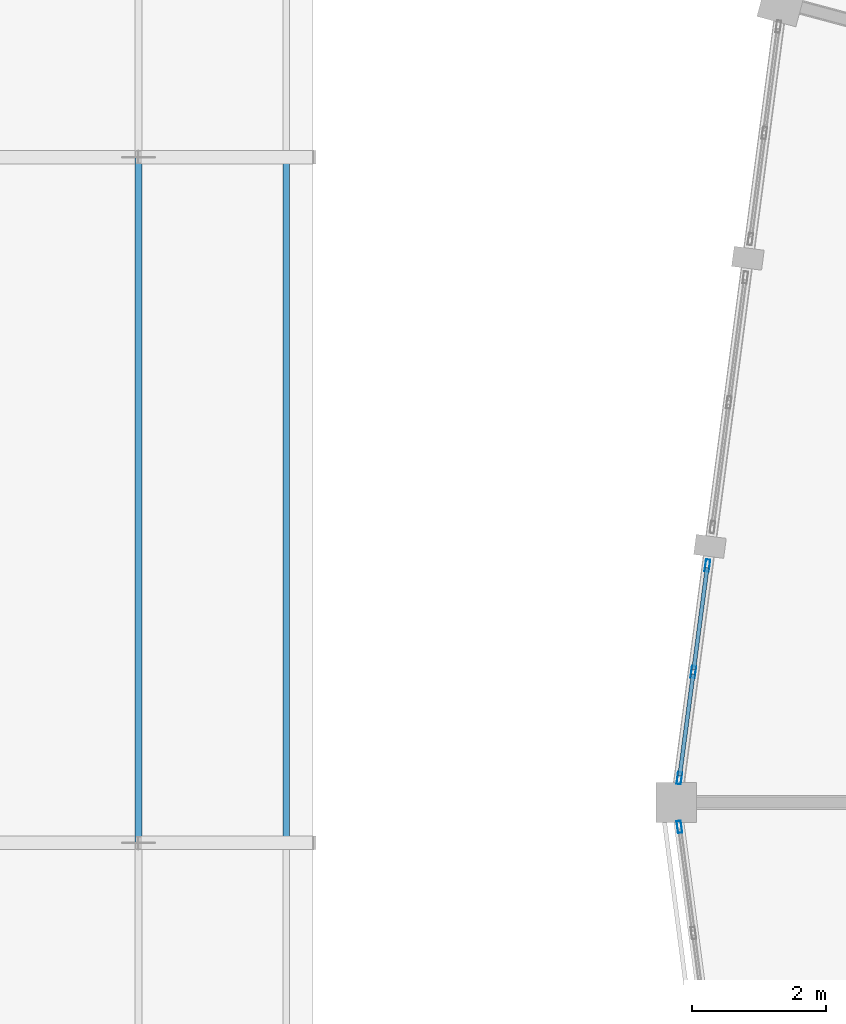
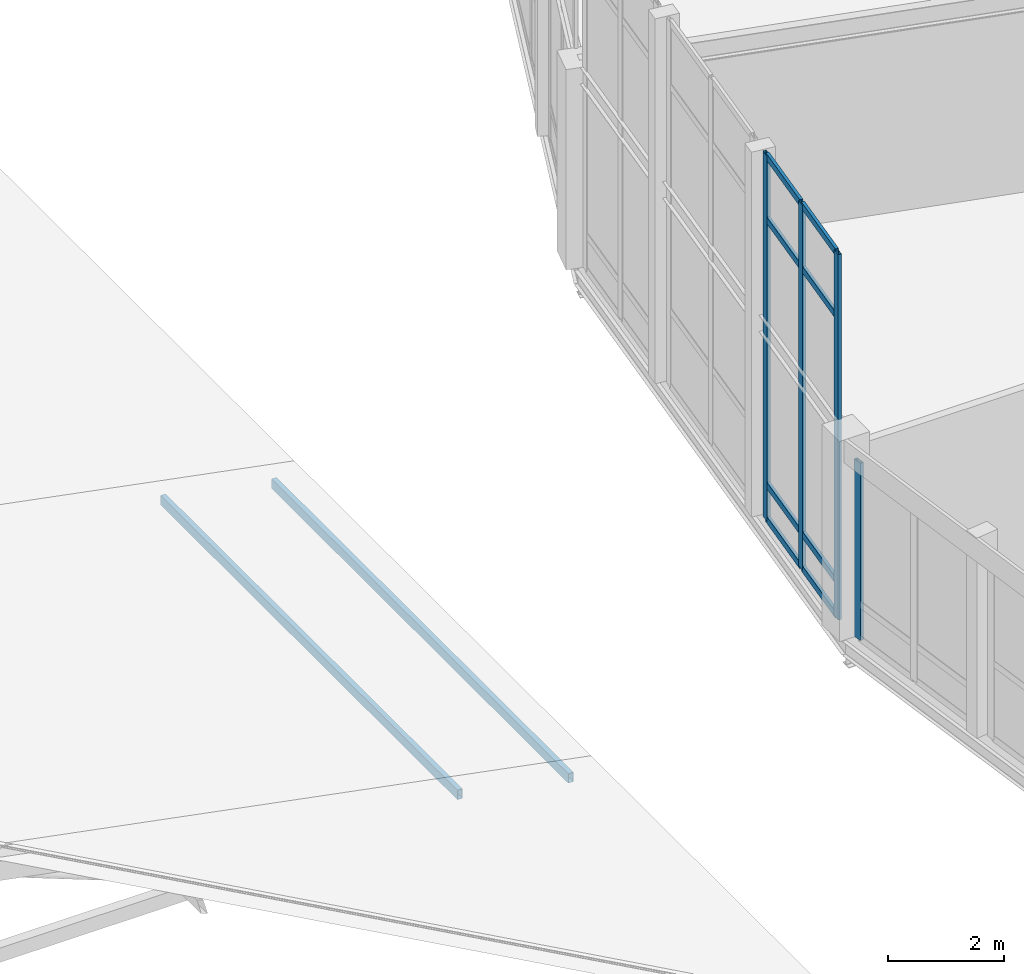
# One storey, part 57 of 200: 14 members, 2 elements without a shape of their own.
"""IFC4 building model written with IfcOpenShell, lengths in metres."""

from ifc_helpers import new_model, si_unit, direction, frame, origin, origin_2d, place, context, subcontext, project, spatial, hollow_rectangle, extrude, material, material_profile, profile_set, type_object, element, aggregate, save


model = new_model("IFC4")

# Units and contexts
model_context = context("Model", 3, precision=1e-05, world=origin(), true_north=direction((0.0, 1.0)))
body_context = subcontext(model_context, "Body", "Model", "MODEL_VIEW")
ifc_project = project(units=[si_unit("LENGTHUNIT", "METRE"), si_unit("AREAUNIT", "SQUARE_METRE"), si_unit("VOLUMEUNIT", "CUBIC_METRE"), si_unit("PLANEANGLEUNIT", "RADIAN"), si_unit("MASSUNIT", "GRAM", prefix="KILO")], contexts=[model_context])

# Site, building, storey
site_placement = place(None, origin())
site = spatial("IfcSite", under=ifc_project, at=site_placement, CompositionType="ELEMENT")
building_placement = place(site_placement, origin())
building = spatial("IfcBuilding", under=site, at=building_placement, Name="Vondelvale Polytechnic", CompositionType="ELEMENT")
storey_placement = place(building_placement, frame((0.0, 0.0, 13.800048828125)))
storey = spatial("IfcBuildingStorey", under=building, at=storey_placement, Name="L03", CompositionType="ELEMENT", Elevation=13.800048828125)

# Curtain wall, members
ifc_material_1 = material(Name="Glulam GL18 structural Tasmanian oak (fb = 42 MPa)", Category="wood")
curtain_wall_type = type_object("IfcCurtainWallType", Name="CW-RING-OUTER", PredefinedType="NOTDEFINED", material=ifc_material_1)
curtain_wall_1_placement = place(storey_placement, origin())
curtain_wall_1 = element("IfcCurtainWall", 1, at=curtain_wall_1_placement, inside=storey, type_object=curtain_wall_type, Name="L03 architectural curtain wall CW-04-255", PredefinedType="NOTDEFINED")
ifc_material_2 = material(Name="Anodised extruded aluminium 6063-T6", Category="aluminium")
ifc_material_profile_1 = material_profile(ifc_material_2, hollow_rectangle(XDim=0.06494140625, YDim=0.179931640625, WallThickness=0.00390625, at=origin_2d()), Name="CW-MUL-180x65")
ifc_profile_set_1 = profile_set([ifc_material_profile_1], Name="Anodised extruded aluminium 6063-T6")
member_type_1 = type_object("IfcMemberType", Name="CW-MUL-65x180", PredefinedType="MULLION", material=ifc_profile_set_1)
member_1_placement = place(storey_placement, frame((56.464111328125, 75.524658203125, 0.0), z_axis=(0.0, 0.0, 1.0), x_axis=(0.991443102996, -0.130539547729, 0.0)))
member_1 = element("IfcMember", 2, at=member_1_placement, type_object=member_type_1, Name="CW-04-255 mullion 1", PredefinedType="MULLION", context=body_context, shape_type="SweptSolid", body=[
    extrude(hollow_rectangle(XDim=0.06494140625, YDim=0.179931640625, WallThickness=0.00390625, at=origin_2d()), origin(), (0.0, 0.0, 1.0), 7.661376953125),
])
member_2_placement = place(storey_placement, frame((56.255859375, 73.943359375, 0.0), z_axis=(0.0, 0.0, 1.0), x_axis=(0.991443102996, -0.130539547729, 0.0)))
member_2 = element("IfcMember", 3, at=member_2_placement, type_object=member_type_1, Name="CW-04-255 mullion 2", PredefinedType="MULLION", context=body_context, shape_type="SweptSolid", body=[
    extrude(hollow_rectangle(XDim=0.06494140625, YDim=0.179931640625, WallThickness=0.00390625, at=origin_2d()), origin(), (0.0, 0.0, 1.0), 7.661376953125),
])
member_3_placement = place(storey_placement, frame((56.047607421875, 72.362060546875, 0.0), z_axis=(0.0, 0.0, 1.0), x_axis=(0.991443102996, -0.130539547729, 0.0)))
member_3 = element("IfcMember", 4, at=member_3_placement, type_object=member_type_1, Name="CW-04-255 mullion 3", PredefinedType="MULLION", context=body_context, shape_type="SweptSolid", body=[
    extrude(hollow_rectangle(XDim=0.06494140625, YDim=0.179931640625, WallThickness=0.00390625, at=origin_2d()), origin(), (0.0, 0.0, 1.0), 7.661376953125),
])

# Curtain wall, member
curtain_wall_2_placement = place(storey_placement, origin())
curtain_wall_2 = element("IfcCurtainWall", 5, at=curtain_wall_2_placement, inside=storey, type_object=curtain_wall_type, Name="L03 architectural curtain wall CW-04-268", PredefinedType="NOTDEFINED")
member_4_placement = place(storey_placement, frame((56.047607421875, 71.637939453125, 0.0), z_axis=(0.0, 0.0, 1.0), x_axis=(0.991443102996, 0.130539547729, 0.0)))
member_4 = element("IfcMember", 6, at=member_4_placement, type_object=member_type_1, Name="CW-04-268 mullion 1", PredefinedType="MULLION", context=body_context, shape_type="SweptSolid", body=[
    extrude(hollow_rectangle(XDim=0.06494140625, YDim=0.179931640625, WallThickness=0.00390625, at=origin_2d()), origin(), (0.0, 0.0, 1.0), 3.719970703125),
])
aggregate(curtain_wall_2, [member_4])

# Member
ifc_material_profile_2 = material_profile(ifc_material_2, hollow_rectangle(XDim=0.06005859375, YDim=0.139892578125, WallThickness=0.00341796875, at=origin_2d()), Name="CW-TRN-140x60")
ifc_profile_set_2 = profile_set([ifc_material_profile_2], Name="Anodised extruded aluminium 6063-T6")
member_type_2 = type_object("IfcMemberType", Name="CW-TRN-60x140", PredefinedType="USERDEFINED", material=ifc_profile_set_2)
member_5_placement = place(storey_placement, frame((56.459716796875, 75.49267578125, 0.030029296875), z_axis=(-0.130512293736, -0.991446691045, 0.0), x_axis=(0.991446691045, -0.130512293736, 0.0)))
member_5 = element("IfcMember", 7, at=member_5_placement, type_object=member_type_2, Name="CW-04-255 transom 1.1", ObjectType="TRANSOM", PredefinedType="USERDEFINED", context=body_context, shape_type="SweptSolid", body=[
    extrude(hollow_rectangle(XDim=0.06005859375, YDim=0.139892578125, WallThickness=0.00341796875, at=origin_2d()), origin(), (0.0, 0.0, 1.0), 1.5302734375),
])

member_6_placement = place(storey_placement, frame((56.459716796875, 75.49267578125, 0.75), z_axis=(-0.130512293736, -0.991446691045, 0.0), x_axis=(0.991446691045, -0.130512293736, 0.0)))
member_6 = element("IfcMember", 8, at=member_6_placement, type_object=member_type_2, Name="CW-04-255 transom 1.2", ObjectType="TRANSOM", PredefinedType="USERDEFINED", context=body_context, shape_type="SweptSolid", body=[
    extrude(hollow_rectangle(XDim=0.06005859375, YDim=0.139892578125, WallThickness=0.00341796875, at=origin_2d()), origin(), (0.0, 0.0, 1.0), 1.5302734375),
])

member_7_placement = place(storey_placement, frame((56.459716796875, 75.49267578125, 6.311279296875), z_axis=(-0.130512293736, -0.991446691045, 0.0), x_axis=(0.991446691045, -0.130512293736, 0.0)))
member_7 = element("IfcMember", 9, at=member_7_placement, type_object=member_type_2, Name="CW-04-255 transom 1.3", ObjectType="TRANSOM", PredefinedType="USERDEFINED", context=body_context, shape_type="SweptSolid", body=[
    extrude(hollow_rectangle(XDim=0.06005859375, YDim=0.139892578125, WallThickness=0.00341796875, at=origin_2d()), origin(), (0.0, 0.0, 1.0), 1.5302734375),
])

member_8_placement = place(storey_placement, frame((56.459716796875, 75.49267578125, 7.63134765625), z_axis=(-0.130512293736, -0.991446691045, 0.0), x_axis=(0.991446691045, -0.130512293736, 0.0)))
member_8 = element("IfcMember", 10, at=member_8_placement, type_object=member_type_2, Name="CW-04-255 transom 1.4", ObjectType="TRANSOM", PredefinedType="USERDEFINED", context=body_context, shape_type="SweptSolid", body=[
    extrude(hollow_rectangle(XDim=0.06005859375, YDim=0.139892578125, WallThickness=0.00341796875, at=origin_2d()), origin(), (0.0, 0.0, 1.0), 1.5302734375),
])

member_9_placement = place(storey_placement, frame((56.251708984375, 73.9111328125, 0.030029296875), z_axis=(-0.130532942165, -0.991443972703, 0.0), x_axis=(0.991443972703, -0.130532942165, 0.0)))
member_9 = element("IfcMember", 11, at=member_9_placement, type_object=member_type_2, Name="CW-04-255 transom 2.1", ObjectType="TRANSOM", PredefinedType="USERDEFINED", context=body_context, shape_type="SweptSolid", body=[
    extrude(hollow_rectangle(XDim=0.06005859375, YDim=0.139892578125, WallThickness=0.00341796875, at=origin_2d()), origin(), (0.0, 0.0, 1.0), 1.530029296875),
])

member_10_placement = place(storey_placement, frame((56.251708984375, 73.9111328125, 0.75), z_axis=(-0.130532942165, -0.991443972703, 0.0), x_axis=(0.991443972703, -0.130532942165, 0.0)))
member_10 = element("IfcMember", 12, at=member_10_placement, type_object=member_type_2, Name="CW-04-255 transom 2.2", ObjectType="TRANSOM", PredefinedType="USERDEFINED", context=body_context, shape_type="SweptSolid", body=[
    extrude(hollow_rectangle(XDim=0.06005859375, YDim=0.139892578125, WallThickness=0.00341796875, at=origin_2d()), origin(), (0.0, 0.0, 1.0), 1.530029296875),
])

member_11_placement = place(storey_placement, frame((56.251708984375, 73.9111328125, 6.311279296875), z_axis=(-0.130532942165, -0.991443972703, 0.0), x_axis=(0.991443972703, -0.130532942165, 0.0)))
member_11 = element("IfcMember", 13, at=member_11_placement, type_object=member_type_2, Name="CW-04-255 transom 2.3", ObjectType="TRANSOM", PredefinedType="USERDEFINED", context=body_context, shape_type="SweptSolid", body=[
    extrude(hollow_rectangle(XDim=0.06005859375, YDim=0.139892578125, WallThickness=0.00341796875, at=origin_2d()), origin(), (0.0, 0.0, 1.0), 1.530029296875),
])

member_12_placement = place(storey_placement, frame((56.251708984375, 73.9111328125, 7.63134765625), z_axis=(-0.130532942165, -0.991443972703, 0.0), x_axis=(0.991443972703, -0.130532942165, 0.0)))
member_12 = element("IfcMember", 14, at=member_12_placement, type_object=member_type_2, Name="CW-04-255 transom 2.4", ObjectType="TRANSOM", PredefinedType="USERDEFINED", context=body_context, shape_type="SweptSolid", body=[
    extrude(hollow_rectangle(XDim=0.06005859375, YDim=0.139892578125, WallThickness=0.00341796875, at=origin_2d()), origin(), (0.0, 0.0, 1.0), 1.530029296875),
])

aggregate(curtain_wall_1, [member_1, member_2, member_3, member_5, member_6, member_7, member_8, member_9, member_10, member_11, member_12])

# Members
ifc_material_3 = material(Name="Steel C350L0 (fy = 350 MPa)", Category="steel")
ifc_material_profile_3 = material_profile(ifc_material_3, hollow_rectangle(XDim=0.10009765625, YDim=0.199951171875, WallThickness=0.006103515625, at=origin_2d()), Name="200x100x6.0RHS")
ifc_profile_set_3 = profile_set([ifc_material_profile_3], Name="Steel C350L0 (fy = 350 MPa)")
member_type_3 = type_object("IfcMemberType", Name="PURLIN RHS200", PredefinedType="PURLIN", material=ifc_profile_set_3)
for number, where, z_axis, x_axis, name in (
    (15, (48.0, 71.39990234375, -0.31884765625), (0.0, 1.0, 0.0), (-1.0, 0.0, 0.0), "Workshop roof purlin bay 3"),
    (16, (50.199951171875, 71.39990234375, -0.74267578125), (0.0, 1.0, 0.0), (-1.0, 0.0, 0.0), "Workshop roof purlin bay 3"),
):
    element("IfcMember", number, at=place(storey_placement, frame(where, z_axis=z_axis, x_axis=x_axis)), inside=storey, type_object=member_type_3, Name=name, PredefinedType="PURLIN", context=body_context, shape_type="SweptSolid", body=[
        extrude(hollow_rectangle(XDim=0.10009765625, YDim=0.199951171875, WallThickness=0.006103515625, at=origin_2d()), origin(), (0.0, 0.0, 1.0), 10.2001953125),
    ])

save(model, "model.ifc")
